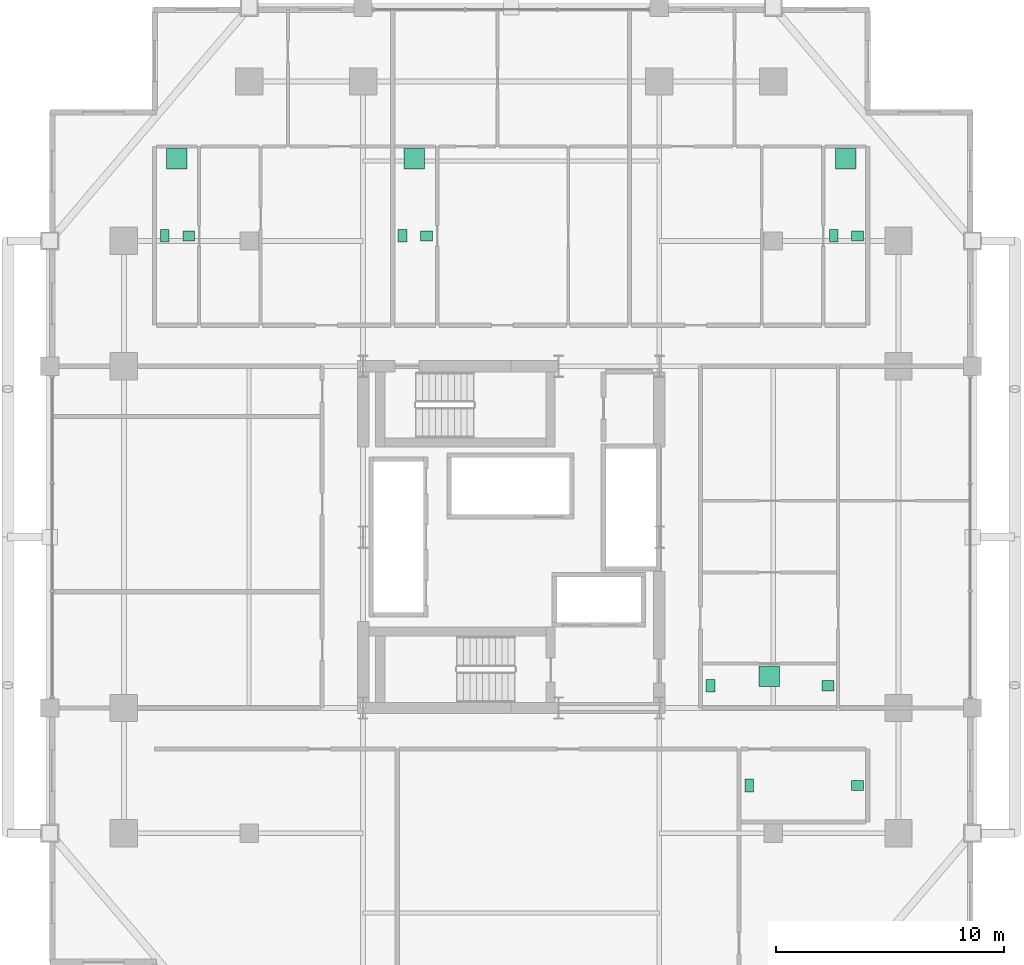
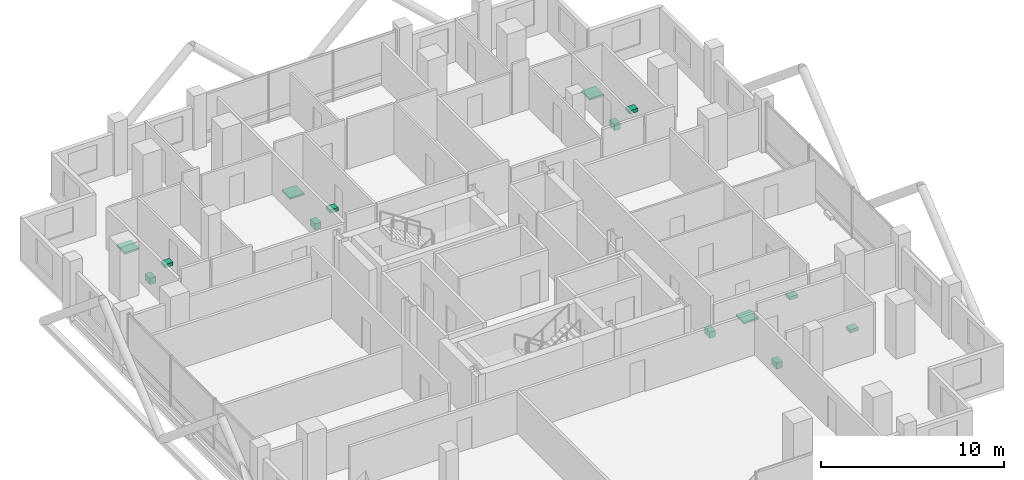
# One storey, part 24 of 24: 14 sanitary terminals.
"""IFC4 building model written with IfcOpenShell, lengths in metres."""

from ifc_helpers import new_model, si_unit, direction, frame, origin, origin_2d, place, context, subcontext, project, spatial, rectangle, extrude, material, type_object, element, save


model = new_model("IFC4")

# Units and contexts
model_context = context("Model", 3, precision=1e-05, world=origin(), true_north=direction((0.0, 1.0)))
body_context = subcontext(model_context, "Body", "Model", "MODEL_VIEW")
ifc_project = project(units=[si_unit("LENGTHUNIT", "METRE"), si_unit("AREAUNIT", "SQUARE_METRE"), si_unit("VOLUMEUNIT", "CUBIC_METRE"), si_unit("PLANEANGLEUNIT", "RADIAN"), si_unit("MASSUNIT", "GRAM", prefix="KILO")], contexts=[model_context])

# Site, building, storey
site_placement = place(None, origin())
site = spatial("IfcSite", under=ifc_project, at=site_placement, CompositionType="ELEMENT")
building_placement = place(site_placement, origin())
building = spatial("IfcBuilding", under=site, at=building_placement, Name="Barlavira Tower and Art Museum", CompositionType="ELEMENT")
storey_placement = place(building_placement, frame((0.0, 0.0, 109.800048828125)))
storey = spatial("IfcBuildingStorey", under=building, at=storey_placement, Name="L27", CompositionType="ELEMENT", Elevation=109.800048828125)

# Sanitary terminals
ifc_material = material(Name="Vitreous glazed ceramic", Category="ceramic")
sanitary_terminal_type_1 = type_object("IfcSanitaryTerminalType", Name="Countertop Ceramic Wash Hand Basin", PredefinedType="WASHHANDBASIN", material=ifc_material)
for number, where, z_axis, x_axis, name in (
    (1, (15.199951171875, -10.89990234375, 0.73974609375), (0.0, 0.0, 1.0), (1.0, 0.0, 0.0), "L27-S-SWC Wash Basin"),
    (2, (-14.14990234375, 13.22509765625, 0.73974609375), (0.0, 0.0, 1.0), (1.0, 0.0, 0.0), "L27-N1-BTH1 Wash Basin"),
    (3, (-3.719970703125, 13.22509765625, 0.73974609375), (0.0, 0.0, 1.0), (1.0, 0.0, 0.0), "L27-N2-BTH1 Wash Basin"),
    (4, (15.199951171875, 13.22509765625, 0.73974609375), (0.0, 0.0, 1.0), (1.0, 0.0, 0.0), "L27-N3-BTH1 Wash Basin"),
    (5, (13.89990234375, -6.52490234375, 0.73974609375), (0.0, 0.0, 1.0), (1.0, 0.0, 0.0), "L27-E1-BTH1 Wash Basin"),
):
    element("IfcSanitaryTerminal", number, at=place(storey_placement, frame(where, z_axis=z_axis, x_axis=x_axis)), inside=storey, type_object=sanitary_terminal_type_1, Name=name, PredefinedType="WASHHANDBASIN", context=body_context, shape_type="SweptSolid", body=[
        extrude(rectangle(XDim=0.52001953125, YDim=0.43994140625, at=origin_2d()), origin(), (0.0, 0.0, 1.0), 0.219970703125),
    ])
sanitary_terminal_type_2 = type_object("IfcSanitaryTerminalType", Name="Walk-In Thermostatic Rain Shower Unit", PredefinedType="SHOWER", material=ifc_material)
for number, where, z_axis, x_axis, name in (
    (6, (-14.675048828125, 16.60009765625, 0.0), (0.0, 0.0, 1.0), (1.0, 0.0, 0.0), "L27-N1-BTH1 Rain Shower"),
    (7, (-4.2451171875, 16.60009765625, 0.0), (0.0, 0.0, 1.0), (1.0, 0.0, 0.0), "L27-N2-BTH1 Rain Shower"),
    (8, (14.675048828125, 16.60009765625, 0.0), (0.0, 0.0, 1.0), (1.0, 0.0, 0.0), "L27-N3-BTH1 Rain Shower"),
    (9, (11.324951171875, -6.10009765625, 0.0), (0.0, 0.0, 1.0), (1.0, 0.0, 0.0), "L27-E1-BTH1 Rain Shower"),
):
    element("IfcSanitaryTerminal", number, at=place(storey_placement, frame(where, z_axis=z_axis, x_axis=x_axis)), inside=storey, type_object=sanitary_terminal_type_2, Name=name, PredefinedType="SHOWER", context=body_context, shape_type="SweptSolid", body=[
        extrude(rectangle(XDim=0.89990234375, YDim=0.89990234375, at=origin_2d()), origin(), (0.0, 0.0, 1.0), 0.1201171875),
    ])
sanitary_terminal_type_3 = type_object("IfcSanitaryTerminalType", Name="Wall-Hung Dual-Flush Vitreous WC Pan", PredefinedType="TOILETPAN", material=ifc_material)
for number, where, z_axis, x_axis, name in (
    (10, (10.449951171875, -10.89990234375, 0.0), (0.0, 0.0, 1.0), (1.0, 0.0, 0.0), "L27-S-SWC WC Pan"),
    (11, (-15.199951171875, 13.22509765625, 0.0), (0.0, 0.0, 1.0), (1.0, 0.0, 0.0), "L27-N1-BTH1 WC Pan"),
    (12, (-4.77001953125, 13.22509765625, 0.0), (0.0, 0.0, 1.0), (1.0, 0.0, 0.0), "L27-N2-BTH1 WC Pan"),
    (13, (14.14990234375, 13.22509765625, 0.0), (0.0, 0.0, 1.0), (1.0, 0.0, 0.0), "L27-N3-BTH1 WC Pan"),
    (14, (8.75, -6.52490234375, 0.0), (0.0, 0.0, 1.0), (1.0, 0.0, 0.0), "L27-E1-BTH1 WC Pan"),
):
    element("IfcSanitaryTerminal", number, at=place(storey_placement, frame(where, z_axis=z_axis, x_axis=x_axis)), inside=storey, type_object=sanitary_terminal_type_3, Name=name, PredefinedType="TOILETPAN", context=body_context, shape_type="SweptSolid", body=[
        extrude(rectangle(XDim=0.3798828125, YDim=0.56005859375, at=origin_2d()), origin(), (0.0, 0.0, 1.0), 0.419921875),
    ])

save(model, "model.ifc")
